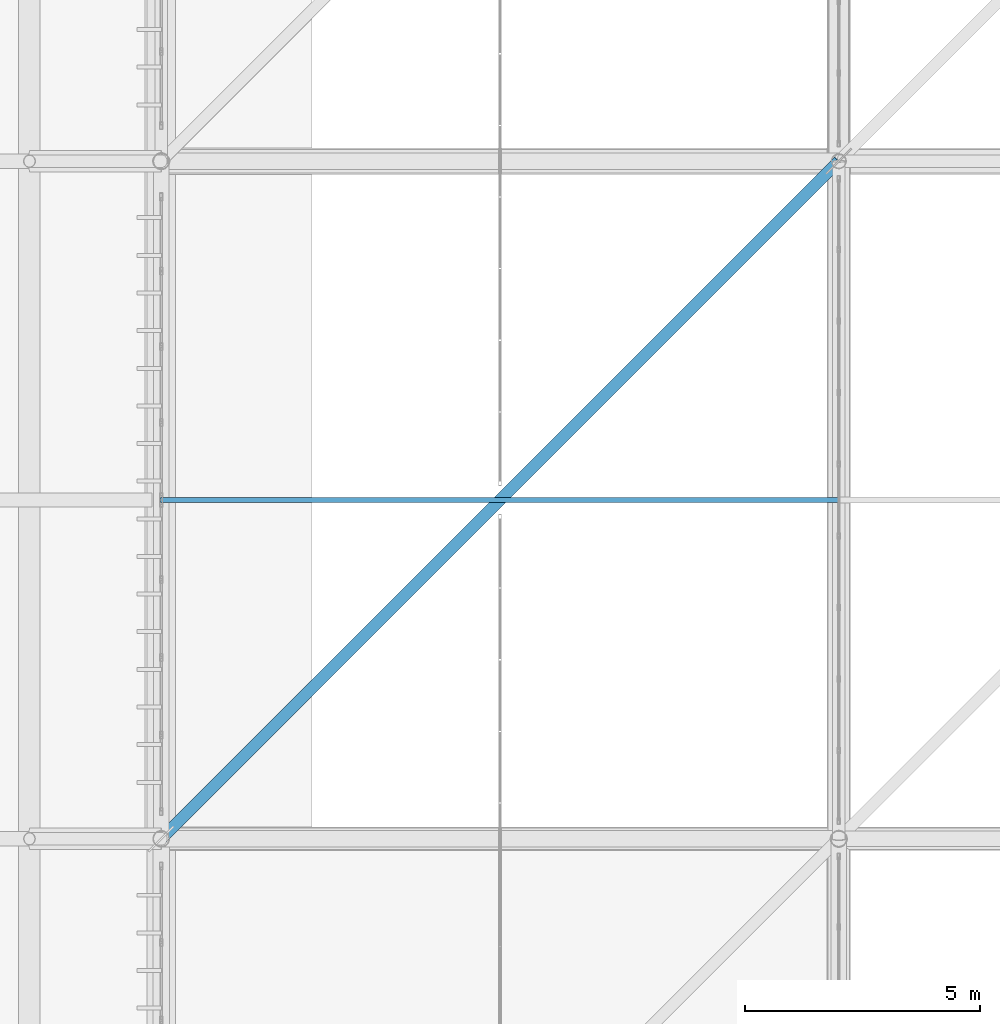
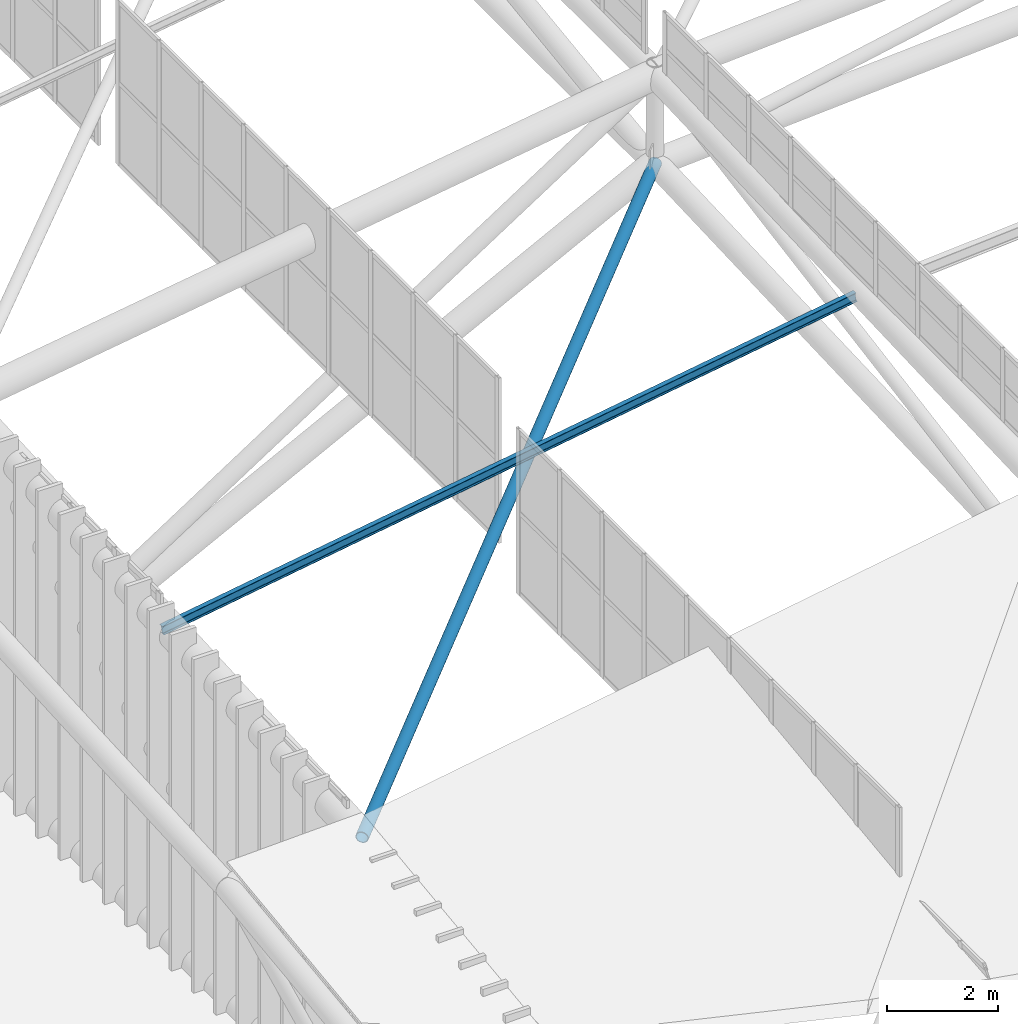
# One storey, part 68 of 397: 2 members.
"""IFC4 building model written with IfcOpenShell, lengths in metres."""

from ifc_helpers import new_model, si_unit, direction, frame, origin, origin_2d, place, context, subcontext, project, spatial, hollow_circle, i_section, extrude, material, material_profile, profile_set, type_object, element, save


model = new_model("IFC4")

# Units and contexts
model_context = context("Model", 3, precision=1e-05, world=origin(), true_north=direction((0.0, 1.0)))
body_context = subcontext(model_context, "Body", "Model", "MODEL_VIEW")
ifc_project = project(units=[si_unit("LENGTHUNIT", "METRE"), si_unit("AREAUNIT", "SQUARE_METRE"), si_unit("VOLUMEUNIT", "CUBIC_METRE"), si_unit("PLANEANGLEUNIT", "RADIAN"), si_unit("MASSUNIT", "GRAM", prefix="KILO")], contexts=[model_context])

# Site, building, storey
site_placement = place(None, origin())
site = spatial("IfcSite", under=ifc_project, at=site_placement, CompositionType="ELEMENT")
building_placement = place(site_placement, origin())
building = spatial("IfcBuilding", under=site, at=building_placement, Name="Qandorah Velis Arena", CompositionType="ELEMENT")
storey_placement = place(building_placement, frame((0.0, 0.0, 27.5)))
storey = spatial("IfcBuildingStorey", under=building, at=storey_placement, Name="RF", CompositionType="ELEMENT", Elevation=27.5)

# Members
ifc_material = material(Name="Steel S355", Category="steel")
ifc_material_profile_1 = material_profile(ifc_material, i_section(OverallWidth=0.10009765625, OverallDepth=0.199951171875, WebThickness=0.005615234375, FlangeThickness=0.008544921875, FilletRadius=0.011962890625, at=origin_2d()), Name="IPE 200")
ifc_profile_set_1 = profile_set([ifc_material_profile_1], Name="Steel S355")
member_type_1 = type_object("IfcMemberType", Name="STR-PRL-IPE200", PredefinedType="PURLIN", material=ifc_profile_set_1)
member_1_placement = place(storey_placement, frame((14.39990234375, 50.39990234375, 6.639404296875), z_axis=(0.98763392352, 0.0, 0.156777655018), x_axis=(0.0, 1.0, 0.0)))
element("IfcMember", 1, at=member_1_placement, inside=storey, type_object=member_type_1, Name="Arena roof purlin PRL-0.2", PredefinedType="PURLIN", context=body_context, shape_type="SweptSolid", body=[
    extrude(i_section(OverallWidth=0.10009765625, OverallDepth=0.199951171875, WebThickness=0.005615234375, FlangeThickness=0.008544921875, FilletRadius=0.011962890625, at=origin_2d()), origin(), (0.0, 0.0, 1.0), 14.58056640625),
])
ifc_material_profile_2 = material_profile(ifc_material, hollow_circle(Radius=0.122314453125, WallThickness=0.012451171875, at=origin_2d()), Name="CHS 244.5x12.5")
ifc_profile_set_2 = profile_set([ifc_material_profile_2], Name="Steel S355")
member_type_2 = type_object("IfcMemberType", Name="STR-SFD-CHS244X12", PredefinedType="STRUT", material=ifc_profile_set_2)
member_2_placement = place(storey_placement, frame((28.800048828125, 57.60009765625, 7.483154296875), z_axis=(-0.706195917454, -0.706195917454, -0.050741032131), x_axis=(0.707106781187, -0.707106781187, 0.0)))
element("IfcMember", 2, at=member_2_placement, inside=storey, type_object=member_type_2, Name="Space frame roof spatial diagonal 0.2", PredefinedType="STRUT", context=body_context, shape_type="SweptSolid", body=[
    extrude(hollow_circle(Radius=0.122314453125, WallThickness=0.012451171875, at=origin_2d()), origin(), (0.0, 0.0, 1.0), 20.39111328125),
])

save(model, "model.ifc")
